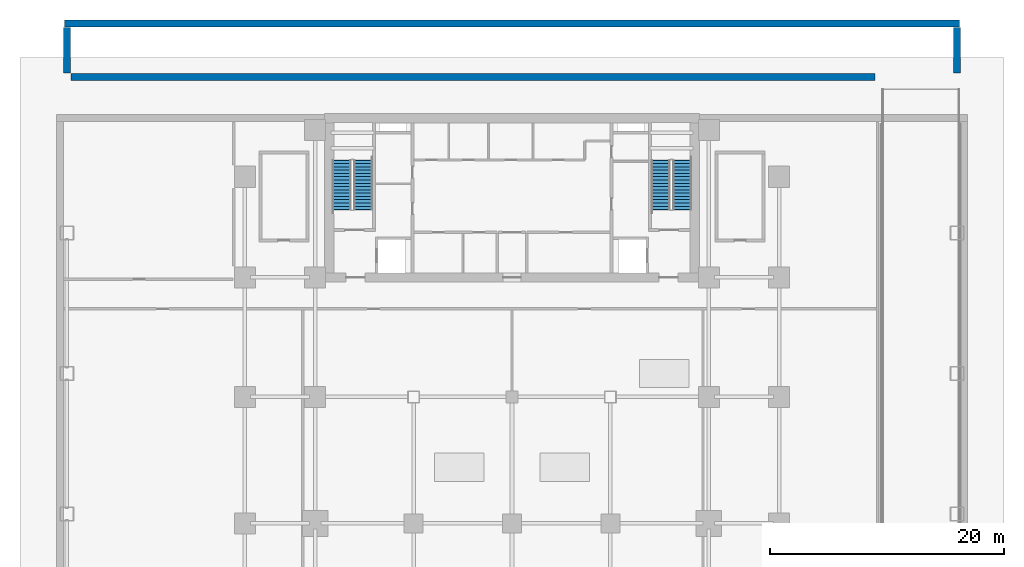
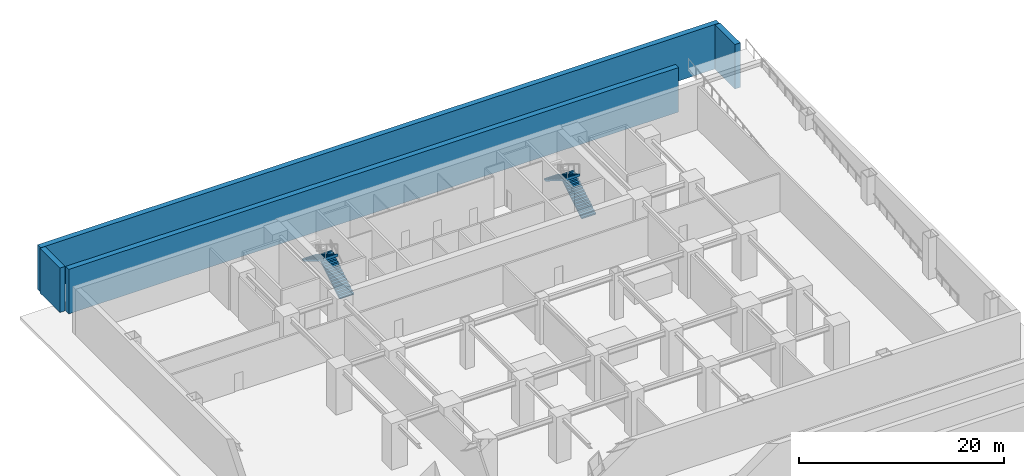
# One storey, part 5 of 8: 4 stair flights, 4 walls, 2 elements without a shape of their own.
"""IFC4 building model written with IfcOpenShell, lengths in metres."""

from ifc_helpers import new_model, si_unit, direction, frame, frame_2d, origin, place, context, subcontext, project, spatial, polyline, rectangle, outline, extrude, source, transform, mapped, material, layer, layer_set, type_object, element, aggregate, save


model = new_model("IFC4")

# Units and contexts
model_context = context("Model", 3, precision=1e-05, world=origin(), true_north=direction((0.0, 1.0)))
body_context = subcontext(model_context, "Body", "Model", "MODEL_VIEW")
ifc_project = project(units=[si_unit("LENGTHUNIT", "METRE"), si_unit("AREAUNIT", "SQUARE_METRE"), si_unit("VOLUMEUNIT", "CUBIC_METRE"), si_unit("PLANEANGLEUNIT", "RADIAN"), si_unit("MASSUNIT", "GRAM", prefix="KILO")], contexts=[model_context])

# Site, building, storey
site_placement = place(None, origin())
site = spatial("IfcSite", under=ifc_project, at=site_placement, CompositionType="ELEMENT")
building_placement = place(site_placement, origin())
building = spatial("IfcBuilding", under=site, at=building_placement, Name="Sumidabori Civic Tower", CompositionType="ELEMENT")
storey_placement = place(building_placement, frame((0.0, 0.0, -5.5)))
storey = spatial("IfcBuildingStorey", under=building, at=storey_placement, Name="B1", CompositionType="ELEMENT", Elevation=-5.5)

# Walls
ifc_material_1 = material(Name="Concrete C50/60", Category="concrete")
ifc_layer_1 = layer(ifc_material_1, 0.60009765625, Name="Concrete C50/60")
ifc_layer_set_1 = layer_set([ifc_layer_1], Name="Concrete C50/60")
wall_type_1 = type_object("IfcWallType", Name="WL-RET-600", PredefinedType="SHEAR", material=ifc_layer_set_1)
shared_shape_1 = source(origin(), body_context, "Body", "SweptSolid", [
    extrude(rectangle(XDim=76.39990234375, YDim=0.60009765625, at=frame_2d((38.199951171875, 0.0))), origin(), (0.0, 0.0, 1.0), 5.300048828125),
])
wall_1_placement = place(storey_placement, frame((-38.199951171875, 31.8798828125, 0.0), z_axis=(0.0, 0.0, 1.0), x_axis=(1.0, 0.0, 0.0)))
element("IfcWall", 1, at=wall_1_placement, inside=storey, type_object=wall_type_1, Name="Substructure Perimeter Bearing Wall B1 APR-N", PredefinedType="SHEAR", context=body_context, shape_type="MappedRepresentation", body=[
    mapped(shared_shape_1, transform((0.0, 0.0, 0.0), x_axis=(1.0, 0.0, 0.0), y_axis=(0.0, 1.0, 0.0), z_axis=(0.0, 0.0, 1.0), scale=1.0)),
])
ifc_layer_2 = layer(ifc_material_1, 0.60009765625, Name="Concrete C50/60")
ifc_layer_set_2 = layer_set([ifc_layer_2], Name="Concrete C50/60")
wall_type_2 = type_object("IfcWallType", Name="WL-SUB-600", PredefinedType="SHEAR", material=ifc_layer_set_2)
shared_shape_2 = source(origin(), body_context, "Body", "SweptSolid", [
    extrude(rectangle(XDim=68.64990234375, YDim=0.60009765625, at=frame_2d((34.324951171875, 0.0))), origin(), (0.0, 0.0, 1.0), 5.300048828125),
])
wall_2_placement = place(storey_placement, frame((-37.64990234375, 27.320068359375, 0.0), z_axis=(0.0, 0.0, 1.0), x_axis=(1.0, 0.0, 0.0)))
element("IfcWall", 2, at=wall_2_placement, inside=storey, type_object=wall_type_2, Name="Substructure Perimeter Bearing Wall B1 APR-S", PredefinedType="SHEAR", context=body_context, shape_type="MappedRepresentation", body=[
    mapped(shared_shape_2, transform((0.0, 0.0, 0.0), x_axis=(1.0, 0.0, 0.0), y_axis=(0.0, 1.0, 0.0), z_axis=(0.0, 0.0, 1.0), scale=1.0)),
])
shared_shape_3 = source(origin(), body_context, "Body", "SweptSolid", [
    extrude(rectangle(XDim=3.900146484375, YDim=0.60009765625, at=frame_2d((1.9501953125, 0.0))), origin(), (0.0, 0.0, 1.0), 5.300048828125),
])
for number, where, z_axis, x_axis, name in (
    (3, (-38.0, 27.64990234375, 0.0), (0.0, 0.0, 1.0), (0.0, 1.0, 0.0), "Substructure Perimeter Bearing Wall B1 APR-W"),
    (4, (38.0, 27.64990234375, 0.0), (0.0, 0.0, 1.0), (0.0, 1.0, 0.0), "Substructure Perimeter Bearing Wall B1 APR-E"),
):
    element("IfcWall", number, at=place(storey_placement, frame(where, z_axis=z_axis, x_axis=x_axis)), inside=storey, type_object=wall_type_1, Name=name, PredefinedType="SHEAR", context=body_context, shape_type="MappedRepresentation", body=[
        mapped(shared_shape_3, transform((0.0, 0.0, 0.0), x_axis=(1.0, 0.0, 0.0), y_axis=(0.0, 1.0, 0.0), z_axis=(0.0, 0.0, 1.0), scale=1.0)),
    ])

# Stair, stair flights
ifc_material_2 = material(Name="Concrete C40/50", Category="concrete")
stair_type = type_object("IfcStairType", Name="ST-CORE-1600", PredefinedType="HALF_TURN_STAIR", material=ifc_material_2)
stair_1_placement = place(storey_placement, origin())
stair_1 = element("IfcStair", 5, at=stair_1_placement, inside=storey, type_object=stair_type, Name="B1 ST-1", PredefinedType="HALF_TURN_STAIR")
stair_flight_type = type_object("IfcStairFlightType", Name="SF-CORE-1600", PredefinedType="STRAIGHT", material=ifc_material_2)
shared_shape_4 = source(origin(), body_context, "Body", "SweptSolid", [
    extrude(outline(polyline([(-0.02490234375, 0.0), (-0.02490234375, 0.0400390625), (0.0, 0.0400390625), (0.0, 0.171875), (0.280029296875, 0.171875), (0.280029296875, 0.34375), (0.56005859375, 0.34375), (0.56005859375, 0.515625), (0.840087890625, 0.515625), (0.840087890625, 0.6875), (1.1201171875, 0.6875), (1.1201171875, 0.859375), (1.39990234375, 0.859375), (1.39990234375, 1.03125), (1.679931640625, 1.03125), (1.679931640625, 1.203125), (1.9599609375, 1.203125), (1.9599609375, 1.375), (2.239990234375, 1.375), (2.239990234375, 1.546875), (2.52001953125, 1.546875), (2.52001953125, 1.71875), (2.800048828125, 1.71875), (2.800048828125, 1.890625), (3.080078125, 1.890625), (3.080078125, 2.0625), (3.360107421875, 2.0625), (3.360107421875, 2.234375), (3.639892578125, 2.234375), (3.639892578125, 2.40625), (3.919921875, 2.40625), (3.919921875, 2.578125), (4.199951171875, 2.578125), (4.199951171875, 2.75), (4.22509765625, 2.75), (4.22509765625, 2.60009765625), (4.199951171875, 2.40234375), (0.28662109375, 0.0), (-0.02490234375, 0.0)])), frame((0.0, 0.800048828125, 0.0), z_axis=(0.0, -1.0, 0.0), x_axis=(1.0, 0.0, 0.0)), (0.0, 0.0, 1.0), 1.60009765625),
])
stair_flight_1_placement = place(storey_placement, frame((-12.699951171875, 16.0, 0.0), z_axis=(0.0, 0.0, 1.0), x_axis=(0.0, 1.0, 0.0)))
stair_flight_1 = element("IfcStairFlight", 6, at=stair_flight_1_placement, type_object=stair_flight_type, Name="ST-1 flight 1", NumberOfRisers=16, NumberOfTreads=15, PredefinedType="STRAIGHT", RiserHeight=0.171875, TreadLength=0.28, context=body_context, shape_type="MappedRepresentation", body=[
    mapped(shared_shape_4, transform((0.0, 0.0, 0.0), x_axis=(1.0, 0.0, 0.0), y_axis=(0.0, 1.0, 0.0), z_axis=(0.0, 0.0, 1.0), scale=1.0)),
])
stair_flight_2_placement = place(storey_placement, frame((-14.5400390625, 20.199951171875, 2.75), z_axis=(0.0, 0.0, 1.0), x_axis=(0.0, -1.0, 0.0)))
stair_flight_2 = element("IfcStairFlight", 7, at=stair_flight_2_placement, type_object=stair_flight_type, Name="ST-1 flight 2", NumberOfRisers=16, NumberOfTreads=15, PredefinedType="STRAIGHT", RiserHeight=0.171875, TreadLength=0.28, context=body_context, shape_type="MappedRepresentation", body=[
    mapped(shared_shape_4, transform((0.0, 0.0, 0.0), x_axis=(1.0, 0.0, 0.0), y_axis=(0.0, 1.0, 0.0), z_axis=(0.0, 0.0, 1.0), scale=1.0)),
])
aggregate(stair_1, [stair_flight_1, stair_flight_2])

stair_2_placement = place(storey_placement, origin())
stair_2 = element("IfcStair", 8, at=stair_2_placement, inside=storey, type_object=stair_type, Name="B1 ST-2", PredefinedType="HALF_TURN_STAIR")
stair_flight_3_placement = place(storey_placement, frame((14.5400390625, 16.0, 0.0), z_axis=(0.0, 0.0, 1.0), x_axis=(0.0, 1.0, 0.0)))
stair_flight_3 = element("IfcStairFlight", 9, at=stair_flight_3_placement, type_object=stair_flight_type, Name="ST-2 flight 1", NumberOfRisers=16, NumberOfTreads=15, PredefinedType="STRAIGHT", RiserHeight=0.171875, TreadLength=0.28, context=body_context, shape_type="MappedRepresentation", body=[
    mapped(shared_shape_4, transform((0.0, 0.0, 0.0), x_axis=(1.0, 0.0, 0.0), y_axis=(0.0, 1.0, 0.0), z_axis=(0.0, 0.0, 1.0), scale=1.0)),
])
stair_flight_4_placement = place(storey_placement, frame((12.699951171875, 20.199951171875, 2.75), z_axis=(0.0, 0.0, 1.0), x_axis=(0.0, -1.0, 0.0)))
stair_flight_4 = element("IfcStairFlight", 10, at=stair_flight_4_placement, type_object=stair_flight_type, Name="ST-2 flight 2", NumberOfRisers=16, NumberOfTreads=15, PredefinedType="STRAIGHT", RiserHeight=0.171875, TreadLength=0.28, context=body_context, shape_type="MappedRepresentation", body=[
    mapped(shared_shape_4, transform((0.0, 0.0, 0.0), x_axis=(1.0, 0.0, 0.0), y_axis=(0.0, 1.0, 0.0), z_axis=(0.0, 0.0, 1.0), scale=1.0)),
])
aggregate(stair_2, [stair_flight_3, stair_flight_4])

save(model, "model.ifc")
